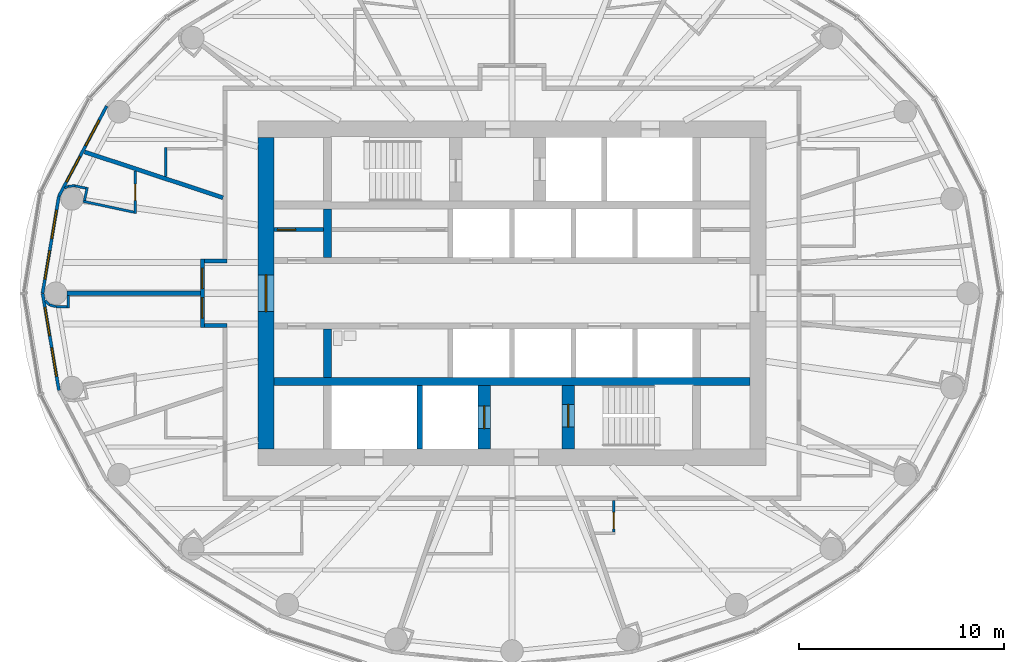
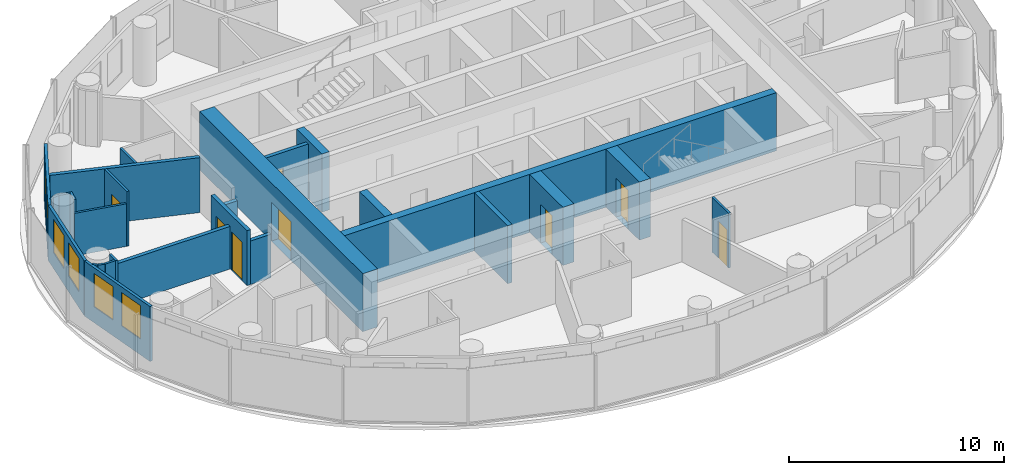
# One storey, part 8 of 16: 28 walls, 8 doors, 6 windows, 14 openings.
"""IFC4 building model written with IfcOpenShell, lengths in metres."""

from ifc_helpers import new_model, si_unit, direction, frame, frame_2d, origin, place, context, subcontext, project, spatial, rectangle, extrude, material, layer, layer_set, type_object, element, fill, save


model = new_model("IFC4")

# Units and contexts
model_context = context("Model", 3, precision=1e-05, world=origin(), true_north=direction((0.0, 1.0)))
body_context = subcontext(model_context, "Body", "Model", "MODEL_VIEW")
ifc_project = project(units=[si_unit("LENGTHUNIT", "METRE"), si_unit("AREAUNIT", "SQUARE_METRE"), si_unit("VOLUMEUNIT", "CUBIC_METRE"), si_unit("PLANEANGLEUNIT", "RADIAN"), si_unit("MASSUNIT", "GRAM", prefix="KILO")], contexts=[model_context])

# Site, building, storey
site_placement = place(None, origin())
site = spatial("IfcSite", under=ifc_project, at=site_placement, CompositionType="ELEMENT")
building_placement = place(site_placement, origin())
building = spatial("IfcBuilding", under=site, at=building_placement, Name="Hankou Lantern Tower", CompositionType="ELEMENT")
storey_placement = place(building_placement, frame((0.0, 0.0, 169.800048828125)))
storey = spatial("IfcBuildingStorey", under=building, at=storey_placement, Name="L45", CompositionType="ELEMENT", Elevation=169.800048828125)

# Wall, opening, door
ifc_material_1 = material(Name="Concrete C60", Category="concrete")
ifc_layer_1 = layer(ifc_material_1, 0.800048828125)
ifc_layer_set_1 = layer_set([ifc_layer_1], Name="Concrete C60")
wall_type_1 = type_object("IfcWallType", Name="CW2 CORE WALL 800", PredefinedType="SHEAR", material=ifc_layer_set_1)
wall_1_placement = place(storey_placement, frame((-12.0, 7.60009765625, 0.0), z_axis=(0.0, 0.0, 1.0), x_axis=(0.0, -1.0, 0.0)))
wall_1 = element("IfcWall", 1, at=wall_1_placement, inside=storey, type_object=wall_type_1, Name="Core wall west L45", PredefinedType="SHEAR", context=body_context, shape_type="SweptSolid", body=[
    extrude(rectangle(XDim=15.2001953125, YDim=0.800048828125, at=frame_2d((7.60009765625, 0.0))), origin(), (0.0, 0.0, 1.0), 3.300048828125),
])
opening_1_placement = place(wall_1_placement, frame((6.699951171875, 0.0, 0.0)))
opening_1 = element("IfcOpeningElement", 2, at=opening_1_placement, cuts=wall_1, Name="Opening D6", PredefinedType="OPENING", context=body_context, shape_type="SweptSolid", body=[
    extrude(rectangle(XDim=1.800048828125, YDim=2.199951171875, at=frame_2d((0.89990234375, 1.10009765625))), frame((0.0, 0.409912109375, 0.0), z_axis=(0.0, -1.0, 0.0), x_axis=(1.0, 0.0, 0.0)), (0.0, 0.0, 1.0), 0.820068359375),
])
ifc_material_2 = material(Name="Steel door leaf", Category="steel")
door_type_1 = type_object("IfcDoorType", Name="D6 LIFT LOBBY DOOR 1800X2200", OperationType="DOUBLE_DOOR_DOUBLE_SWING", PredefinedType="DOOR", material=ifc_material_2)
door_1_placement = place(opening_1_placement, origin())
door_1 = element("IfcDoor", 3, at=door_1_placement, inside=storey, type_object=door_type_1, Name="Lift lobby west door", OperationType="DOUBLE_DOOR_DOUBLE_SWING", OverallHeight=2.199951171875, OverallWidth=1.800048828125, PredefinedType="DOOR", context=body_context, shape_type="SweptSolid", body=[
    extrude(rectangle(XDim=1.800048828125, YDim=2.199951171875, at=frame_2d((0.89990234375, 1.10009765625))), frame((0.0, 0.02490234375, 0.0), z_axis=(0.0, -1.0, 0.0), x_axis=(1.0, 0.0, 0.0)), (0.0, 0.0, 1.0), 0.050048828125),
])
fill(opening_1, door_1)

# Walls
ifc_material_3 = material(Name="Concrete C60", Category="concrete")
ifc_layer_2 = layer(ifc_material_3, 0.39990234375)
ifc_layer_set_2 = layer_set([ifc_layer_2], Name="Concrete C60")
wall_type_2 = type_object("IfcWallType", Name="CW4 CORE CROSS WALL 400", PredefinedType="SHEAR", material=ifc_layer_set_2)
wall_2_placement = place(storey_placement, frame((-11.60009765625, -4.300048828125, 0.0), z_axis=(0.0, 0.0, 1.0), x_axis=(1.0, 0.0, 0.0)))
element("IfcWall", 4, at=wall_2_placement, inside=storey, type_object=wall_type_2, Name="Core band wall south L45", PredefinedType="SHEAR", context=body_context, shape_type="SweptSolid", body=[
    extrude(rectangle(XDim=23.2001953125, YDim=0.39990234375, at=frame_2d((11.60009765625, 0.0))), origin(), (0.0, 0.0, 1.0), 3.300048828125),
])
for number, where, z_axis, x_axis, name in (
    (5, (-9.0, 1.75, 0.0), (0.0, 0.0, 1.0), (0.0, 1.0, 0.0), "Core strip wall L45"),
    (6, (-9.0, -4.10009765625, 0.0), (0.0, 0.0, 1.0), (0.0, 1.0, 0.0), "Core strip wall L45"),
):
    element("IfcWall", number, at=place(storey_placement, frame(where, z_axis=z_axis, x_axis=x_axis)), inside=storey, type_object=wall_type_2, Name=name, PredefinedType="SHEAR", context=body_context, shape_type="SweptSolid", body=[
        extrude(rectangle(XDim=2.35009765625, YDim=0.39990234375, at=frame_2d((1.175048828125, 0.0))), origin(), (0.0, 0.0, 1.0), 3.300048828125),
    ])

# Wall, opening, door
ifc_material_4 = material(Name="Concrete C60", Category="concrete")
ifc_layer_3 = layer(ifc_material_4, 0.60009765625)
ifc_layer_set_3 = layer_set([ifc_layer_3], Name="Concrete C60")
wall_type_3 = type_object("IfcWallType", Name="CW6 STAIR AND SHAFT WALL 600", PredefinedType="SHEAR", material=ifc_layer_set_3)
wall_3_placement = place(storey_placement, frame((2.75, -7.60009765625, 0.0), z_axis=(0.0, 0.0, 1.0), x_axis=(0.0, 1.0, 0.0)))
wall_3 = element("IfcWall", 7, at=wall_3_placement, inside=storey, type_object=wall_type_3, Name="Stair wall L45", PredefinedType="SHEAR", context=body_context, shape_type="SweptSolid", body=[
    extrude(rectangle(XDim=3.10009765625, YDim=0.60009765625, at=frame_2d((1.550048828125, 0.0))), origin(), (0.0, 0.0, 1.0), 3.300048828125),
])
opening_2_placement = place(wall_3_placement, frame((1.074951171875, 0.0, 0.0)))
opening_2 = element("IfcOpeningElement", 8, at=opening_2_placement, cuts=wall_3, Name="Opening D4", PredefinedType="OPENING", context=body_context, shape_type="SweptSolid", body=[
    extrude(rectangle(XDim=1.10009765625, YDim=2.199951171875, at=frame_2d((0.550048828125, 1.10009765625))), frame((0.0, 0.31005859375, 0.0), z_axis=(0.0, -1.0, 0.0), x_axis=(1.0, 0.0, 0.0)), (0.0, 0.0, 1.0), 0.6201171875),
])
ifc_material_5 = material(Name="Steel door leaf", Category="steel")
door_type_2 = type_object("IfcDoorType", Name="D4 STAIR DOOR 1100X2200", OperationType="SINGLE_SWING_LEFT", PredefinedType="DOOR", material=ifc_material_5)
door_2_placement = place(opening_2_placement, origin())
door_2 = element("IfcDoor", 9, at=door_2_placement, inside=storey, type_object=door_type_2, Name="Stair B door", OperationType="SINGLE_SWING_RIGHT", OverallHeight=2.199951171875, OverallWidth=1.10009765625, PredefinedType="DOOR", context=body_context, shape_type="SweptSolid", body=[
    extrude(rectangle(XDim=1.10009765625, YDim=2.199951171875, at=frame_2d((0.550048828125, 1.10009765625))), frame((0.0, 0.02490234375, 0.0), z_axis=(0.0, -1.0, 0.0), x_axis=(1.0, 0.0, 0.0)), (0.0, 0.0, 1.0), 0.050048828125),
])
fill(opening_2, door_2)

wall_4_placement = place(storey_placement, frame((-1.35009765625, -7.60009765625, 0.0), z_axis=(0.0, 0.0, 1.0), x_axis=(0.0, 1.0, 0.0)))
wall_4 = element("IfcWall", 10, at=wall_4_placement, inside=storey, type_object=wall_type_3, Name="Firefighting lift shaft wall L45", PredefinedType="SHEAR", context=body_context, shape_type="SweptSolid", body=[
    extrude(rectangle(XDim=3.10009765625, YDim=0.60009765625, at=frame_2d((1.550048828125, 0.0))), origin(), (0.0, 0.0, 1.0), 3.300048828125),
])
opening_3_placement = place(wall_4_placement, frame((1.0, 0.0, 0.0)))
opening_3 = element("IfcOpeningElement", 11, at=opening_3_placement, cuts=wall_4, Name="Opening LD2", PredefinedType="OPENING", context=body_context, shape_type="SweptSolid", body=[
    extrude(rectangle(XDim=1.10009765625, YDim=2.199951171875, at=frame_2d((0.550048828125, 1.10009765625))), frame((0.0, 0.31005859375, 0.0), z_axis=(0.0, -1.0, 0.0), x_axis=(1.0, 0.0, 0.0)), (0.0, 0.0, 1.0), 0.6201171875),
])
ifc_material_6 = material(Name="Steel door leaf", Category="steel")
door_type_3 = type_object("IfcDoorType", Name="LD2 FIREFIGHTING LIFT LANDING DOOR 1100X2200", OperationType="DOUBLE_DOOR_SLIDING", PredefinedType="DOOR", material=ifc_material_6)
door_3_placement = place(opening_3_placement, origin())
door_3 = element("IfcDoor", 12, at=door_3_placement, inside=storey, type_object=door_type_3, Name="Firefighting lift FL2 landing door", OperationType="DOUBLE_DOOR_SLIDING", OverallHeight=2.199951171875, OverallWidth=1.10009765625, PredefinedType="DOOR", context=body_context, shape_type="SweptSolid", body=[
    extrude(rectangle(XDim=1.10009765625, YDim=2.199951171875, at=frame_2d((0.550048828125, 1.10009765625))), frame((0.0, 0.02490234375, 0.0), z_axis=(0.0, -1.0, 0.0), x_axis=(1.0, 0.0, 0.0)), (0.0, 0.0, 1.0), 0.050048828125),
])
fill(opening_3, door_3)

# Wall, openings, windows
ifc_material_7 = material(Name="Aluminium spandrel panel on steel studs", Category="steel")
ifc_layer_4 = layer(ifc_material_7, 0.14990234375)
ifc_layer_set_4 = layer_set([ifc_layer_4], Name="Aluminium spandrel panel on steel studs")
wall_type_4 = type_object("IfcWallType", Name="EW1 INNER SKIN WALL 150", PredefinedType="ELEMENTEDWALL", material=ifc_layer_set_4)
wall_5_placement = place(storey_placement, frame((-19.771728515625, 9.132080078125, 0.0), z_axis=(0.0, 0.0, 1.0), x_axis=(-0.468428906714, -0.883501193748, 0.0)))
wall_5 = element("IfcWall", 13, at=wall_5_placement, inside=storey, type_object=wall_type_4, Name="Inner skin R11-R12 L45", PredefinedType="ELEMENTEDWALL", context=body_context, shape_type="SweptSolid", body=[
    extrude(rectangle(XDim=4.9736328125, YDim=0.14990234375, at=frame_2d((2.48681640625, 0.0))), origin(), (0.0, 0.0, 1.0), 3.119873046875),
])
opening_4_placement = place(wall_5_placement, frame((0.786865234375, 0.0, 0.89990234375)))
opening_4 = element("IfcOpeningElement", 14, at=opening_4_placement, cuts=wall_5, Name="Opening W3", PredefinedType="OPENING", context=body_context, shape_type="SweptSolid", body=[
    extrude(rectangle(XDim=1.39990234375, YDim=1.89990234375, at=frame_2d((0.699951171875, 0.949951171875))), frame((0.0, 0.0849609375, 0.0), z_axis=(0.0, -1.0, 0.0), x_axis=(1.0, 0.0, 0.0)), (0.0, 0.0, 1.0), 0.169921875),
])
opening_5_placement = place(wall_5_placement, frame((2.786865234375, 0.0, 0.89990234375)))
opening_5 = element("IfcOpeningElement", 15, at=opening_5_placement, cuts=wall_5, Name="Opening W3", PredefinedType="OPENING", context=body_context, shape_type="SweptSolid", body=[
    extrude(rectangle(XDim=1.39990234375, YDim=1.89990234375, at=frame_2d((0.699951171875, 0.949951171875))), frame((0.0, 0.0849609375, 0.0), z_axis=(0.0, -1.0, 0.0), x_axis=(1.0, 0.0, 0.0)), (0.0, 0.0, 1.0), 0.169921875),
])
ifc_material_8 = material(Name="Aluminium framed double glazed window", Category="aluminium")
window_type = type_object("IfcWindowType", Name="W3 GUEST ROOM WINDOW 1400X1900", PartitioningType="DOUBLE_PANEL_VERTICAL", PredefinedType="WINDOW", material=ifc_material_8)
window_1_placement = place(opening_4_placement, origin())
window_1 = element("IfcWindow", 16, at=window_1_placement, inside=storey, type_object=window_type, Name="Window R11.1 L45", OverallHeight=1.89990234375, OverallWidth=1.39990234375, PartitioningType="SINGLE_PANEL", PredefinedType="WINDOW", context=body_context, shape_type="SweptSolid", body=[
    extrude(rectangle(XDim=1.39990234375, YDim=1.89990234375, at=frame_2d((0.699951171875, 0.949951171875))), frame((0.0, 0.030029296875, 0.0), z_axis=(0.0, -1.0, 0.0), x_axis=(1.0, 0.0, 0.0)), (0.0, 0.0, 1.0), 0.06005859375),
])
fill(opening_4, window_1)
window_2_placement = place(opening_5_placement, origin())
window_2 = element("IfcWindow", 17, at=window_2_placement, inside=storey, type_object=window_type, Name="Window R11.2 L45", OverallHeight=1.89990234375, OverallWidth=1.39990234375, PartitioningType="SINGLE_PANEL", PredefinedType="WINDOW", context=body_context, shape_type="SweptSolid", body=[
    extrude(rectangle(XDim=1.39990234375, YDim=1.89990234375, at=frame_2d((0.699951171875, 0.949951171875))), frame((0.0, 0.030029296875, 0.0), z_axis=(0.0, -1.0, 0.0), x_axis=(1.0, 0.0, 0.0)), (0.0, 0.0, 1.0), 0.06005859375),
])
fill(opening_5, window_2)

wall_6_placement = place(storey_placement, frame((-22.1015625, 4.73779296875, 0.0), z_axis=(0.0, 0.0, 1.0), x_axis=(-0.166162111254, -0.986098449843, 0.0)))
wall_6 = element("IfcWall", 18, at=wall_6_placement, inside=storey, type_object=wall_type_4, Name="Inner skin R12-R13 L45", PredefinedType="ELEMENTEDWALL", context=body_context, shape_type="SweptSolid", body=[
    extrude(rectangle(XDim=4.8046875, YDim=0.14990234375, at=frame_2d((2.40234375, 0.0))), origin(), (0.0, 0.0, 1.0), 3.119873046875),
])
opening_6_placement = place(wall_6_placement, frame((0.7021484375, 0.0, 0.89990234375)))
opening_6 = element("IfcOpeningElement", 19, at=opening_6_placement, cuts=wall_6, Name="Opening W3", PredefinedType="OPENING", context=body_context, shape_type="SweptSolid", body=[
    extrude(rectangle(XDim=1.39990234375, YDim=1.89990234375, at=frame_2d((0.699951171875, 0.949951171875))), frame((0.0, 0.0849609375, 0.0), z_axis=(0.0, -1.0, 0.0), x_axis=(1.0, 0.0, 0.0)), (0.0, 0.0, 1.0), 0.169921875),
])
opening_7_placement = place(wall_6_placement, frame((2.7021484375, 0.0, 0.89990234375)))
opening_7 = element("IfcOpeningElement", 20, at=opening_7_placement, cuts=wall_6, Name="Opening W3", PredefinedType="OPENING", context=body_context, shape_type="SweptSolid", body=[
    extrude(rectangle(XDim=1.39990234375, YDim=1.89990234375, at=frame_2d((0.699951171875, 0.949951171875))), frame((0.0, 0.0849609375, 0.0), z_axis=(0.0, -1.0, 0.0), x_axis=(1.0, 0.0, 0.0)), (0.0, 0.0, 1.0), 0.169921875),
])
window_3_placement = place(opening_6_placement, origin())
window_3 = element("IfcWindow", 21, at=window_3_placement, inside=storey, type_object=window_type, Name="Window R12.1 L45", OverallHeight=1.89990234375, OverallWidth=1.39990234375, PartitioningType="SINGLE_PANEL", PredefinedType="WINDOW", context=body_context, shape_type="SweptSolid", body=[
    extrude(rectangle(XDim=1.39990234375, YDim=1.89990234375, at=frame_2d((0.699951171875, 0.949951171875))), frame((0.0, 0.030029296875, 0.0), z_axis=(0.0, -1.0, 0.0), x_axis=(1.0, 0.0, 0.0)), (0.0, 0.0, 1.0), 0.06005859375),
])
fill(opening_6, window_3)
window_4_placement = place(opening_7_placement, origin())
window_4 = element("IfcWindow", 22, at=window_4_placement, inside=storey, type_object=window_type, Name="Window R12.2 L45", OverallHeight=1.89990234375, OverallWidth=1.39990234375, PartitioningType="SINGLE_PANEL", PredefinedType="WINDOW", context=body_context, shape_type="SweptSolid", body=[
    extrude(rectangle(XDim=1.39990234375, YDim=1.89990234375, at=frame_2d((0.699951171875, 0.949951171875))), frame((0.0, 0.030029296875, 0.0), z_axis=(0.0, -1.0, 0.0), x_axis=(1.0, 0.0, 0.0)), (0.0, 0.0, 1.0), 0.06005859375),
])
fill(opening_7, window_4)

wall_7_placement = place(storey_placement, frame((-22.89990234375, 0.0, 0.0), z_axis=(0.0, 0.0, 1.0), x_axis=(0.166162111254, -0.986098449843, 0.0)))
wall_7 = element("IfcWall", 23, at=wall_7_placement, inside=storey, type_object=wall_type_4, Name="Inner skin R13-R14 L45", PredefinedType="ELEMENTEDWALL", context=body_context, shape_type="SweptSolid", body=[
    extrude(rectangle(XDim=4.8046875, YDim=0.14990234375, at=frame_2d((2.40234375, 0.0))), origin(), (0.0, 0.0, 1.0), 3.119873046875),
])
opening_8_placement = place(wall_7_placement, frame((0.7021484375, 0.0, 0.89990234375)))
opening_8 = element("IfcOpeningElement", 24, at=opening_8_placement, cuts=wall_7, Name="Opening W3", PredefinedType="OPENING", context=body_context, shape_type="SweptSolid", body=[
    extrude(rectangle(XDim=1.39990234375, YDim=1.89990234375, at=frame_2d((0.699951171875, 0.949951171875))), frame((0.0, 0.0849609375, 0.0), z_axis=(0.0, -1.0, 0.0), x_axis=(1.0, 0.0, 0.0)), (0.0, 0.0, 1.0), 0.169921875),
])
opening_9_placement = place(wall_7_placement, frame((2.7021484375, 0.0, 0.89990234375)))
opening_9 = element("IfcOpeningElement", 25, at=opening_9_placement, cuts=wall_7, Name="Opening W3", PredefinedType="OPENING", context=body_context, shape_type="SweptSolid", body=[
    extrude(rectangle(XDim=1.39990234375, YDim=1.89990234375, at=frame_2d((0.699951171875, 0.949951171875))), frame((0.0, 0.0849609375, 0.0), z_axis=(0.0, -1.0, 0.0), x_axis=(1.0, 0.0, 0.0)), (0.0, 0.0, 1.0), 0.169921875),
])
window_5_placement = place(opening_8_placement, origin())
window_5 = element("IfcWindow", 26, at=window_5_placement, inside=storey, type_object=window_type, Name="Window R13.1 L45", OverallHeight=1.89990234375, OverallWidth=1.39990234375, PartitioningType="SINGLE_PANEL", PredefinedType="WINDOW", context=body_context, shape_type="SweptSolid", body=[
    extrude(rectangle(XDim=1.39990234375, YDim=1.89990234375, at=frame_2d((0.699951171875, 0.949951171875))), frame((0.0, 0.030029296875, 0.0), z_axis=(0.0, -1.0, 0.0), x_axis=(1.0, 0.0, 0.0)), (0.0, 0.0, 1.0), 0.06005859375),
])
fill(opening_8, window_5)
window_6_placement = place(opening_9_placement, origin())
window_6 = element("IfcWindow", 27, at=window_6_placement, inside=storey, type_object=window_type, Name="Window R13.2 L45", OverallHeight=1.89990234375, OverallWidth=1.39990234375, PartitioningType="SINGLE_PANEL", PredefinedType="WINDOW", context=body_context, shape_type="SweptSolid", body=[
    extrude(rectangle(XDim=1.39990234375, YDim=1.89990234375, at=frame_2d((0.699951171875, 0.949951171875))), frame((0.0, 0.030029296875, 0.0), z_axis=(0.0, -1.0, 0.0), x_axis=(1.0, 0.0, 0.0)), (0.0, 0.0, 1.0), 0.06005859375),
])
fill(opening_9, window_6)

# Walls
ifc_material_9 = material(Name="Masonry lightweight concrete block", Category="masonry")
ifc_layer_5 = layer(ifc_material_9, 0.199951171875)
ifc_layer_set_5 = layer_set([ifc_layer_5], Name="Masonry lightweight concrete block")
wall_type_5 = type_object("IfcWallType", Name="IW1 GUEST ROOM PARTY WALL 200", PredefinedType="PARTITIONING", material=ifc_layer_set_5)
wall_8_placement = place(storey_placement, frame((-14.10009765625, 4.661376953125, 0.0), z_axis=(0.0, 0.0, 1.0), x_axis=(-0.949453216399, 0.313908569285, 0.0)))
element("IfcWall", 28, at=wall_8_placement, inside=storey, type_object=wall_type_5, Name="Party wall R11-R12", PredefinedType="PARTITIONING", context=body_context, shape_type="SweptSolid", body=[
    extrude(rectangle(XDim=7.108642578125, YDim=0.199951171875, at=frame_2d((3.55419921875, 0.0))), origin(), (0.0, 0.0, 1.0), 3.119873046875),
])
wall_9_placement = place(storey_placement, frame((-15.199951171875, 0.0, 0.0), z_axis=(0.0, 0.0, 1.0), x_axis=(-1.0, 0.0, 0.0)))
element("IfcWall", 29, at=wall_9_placement, inside=storey, type_object=wall_type_5, Name="Party wall R13", PredefinedType="PARTITIONING", context=body_context, shape_type="SweptSolid", body=[
    extrude(rectangle(XDim=6.5, YDim=0.199951171875, at=frame_2d((3.25, 0.0))), origin(), (0.0, 0.0, 1.0), 2.419921875),
])

# Wall, openings, doors
ifc_material_10 = material(Name="Masonry lightweight concrete block", Category="masonry")
ifc_layer_6 = layer(ifc_material_10, 0.199951171875)
ifc_layer_set_6 = layer_set([ifc_layer_6], Name="Masonry lightweight concrete block")
wall_type_6 = type_object("IfcWallType", Name="IW2 CORRIDOR WALL 200", PredefinedType="PARTITIONING", material=ifc_layer_set_6)
wall_10_placement = place(storey_placement, frame((-15.10009765625, 1.669921875, 0.0), z_axis=(0.0, 0.0, 1.0), x_axis=(0.0, -1.0, 0.0)))
wall_10 = element("IfcWall", 30, at=wall_10_placement, inside=storey, type_object=wall_type_6, Name="Corridor alcove wall 4512-4513 back", PredefinedType="PARTITIONING", context=body_context, shape_type="SweptSolid", body=[
    extrude(rectangle(XDim=3.33984375, YDim=0.199951171875, at=frame_2d((1.669921875, 0.0))), origin(), (0.0, 0.0, 1.0), 3.119873046875),
])
opening_10_placement = place(wall_10_placement, frame((0.449951171875, 0.0, 0.0)))
opening_10 = element("IfcOpeningElement", 31, at=opening_10_placement, cuts=wall_10, Name="Opening D1", PredefinedType="OPENING", context=body_context, shape_type="SweptSolid", body=[
    extrude(rectangle(XDim=1.0, YDim=2.199951171875, at=frame_2d((0.5, 1.10009765625))), frame((0.0, 0.10986328125, 0.0), z_axis=(0.0, -1.0, 0.0), x_axis=(1.0, 0.0, 0.0)), (0.0, 0.0, 1.0), 0.219970703125),
])
opening_11_placement = place(wall_10_placement, frame((1.889892578125, 0.0, 0.0)))
opening_11 = element("IfcOpeningElement", 32, at=opening_11_placement, cuts=wall_10, Name="Opening D1", PredefinedType="OPENING", context=body_context, shape_type="SweptSolid", body=[
    extrude(rectangle(XDim=1.0, YDim=2.199951171875, at=frame_2d((0.5, 1.10009765625))), frame((0.0, 0.10986328125, 0.0), z_axis=(0.0, -1.0, 0.0), x_axis=(1.0, 0.0, 0.0)), (0.0, 0.0, 1.0), 0.219970703125),
])
ifc_material_11 = material(Name="Steel door leaf", Category="steel")
door_type_4 = type_object("IfcDoorType", Name="D1 GUEST ROOM DOOR 1000X2200", OperationType="SINGLE_SWING_LEFT", PredefinedType="DOOR", material=ifc_material_11)
door_4_placement = place(opening_10_placement, origin())
door_4 = element("IfcDoor", 33, at=door_4_placement, inside=storey, type_object=door_type_4, Name="Guest room door 4512", OperationType="SINGLE_SWING_LEFT", OverallHeight=2.199951171875, OverallWidth=1.0, PredefinedType="DOOR", context=body_context, shape_type="SweptSolid", body=[
    extrude(rectangle(XDim=1.0, YDim=2.199951171875, at=frame_2d((0.5, 1.10009765625))), frame((0.0, 0.02490234375, 0.0), z_axis=(0.0, -1.0, 0.0), x_axis=(1.0, 0.0, 0.0)), (0.0, 0.0, 1.0), 0.050048828125),
])
fill(opening_10, door_4)
door_5_placement = place(opening_11_placement, origin())
door_5 = element("IfcDoor", 34, at=door_5_placement, inside=storey, type_object=door_type_4, Name="Guest room door 4513", OperationType="SINGLE_SWING_RIGHT", OverallHeight=2.199951171875, OverallWidth=1.0, PredefinedType="DOOR", context=body_context, shape_type="SweptSolid", body=[
    extrude(rectangle(XDim=1.0, YDim=2.199951171875, at=frame_2d((0.5, 1.10009765625))), frame((0.0, 0.02490234375, 0.0), z_axis=(0.0, -1.0, 0.0), x_axis=(1.0, 0.0, 0.0)), (0.0, 0.0, 1.0), 0.050048828125),
])
fill(opening_11, door_5)

# Walls
for number, where, z_axis, x_axis, name in (
    (35, (-13.89990234375, 1.570068359375, 0.0), (0.0, 0.0, 1.0), (-1.0, 0.0, 0.0), "Corridor alcove wall 4512-4513 left"),
    (36, (-13.89990234375, -1.570068359375, 0.0), (0.0, 0.0, 1.0), (-1.0, 0.0, 0.0), "Corridor alcove wall 4512-4513 right"),
):
    element("IfcWall", number, at=place(storey_placement, frame(where, z_axis=z_axis, x_axis=x_axis)), inside=storey, type_object=wall_type_6, Name=name, PredefinedType="PARTITIONING", context=body_context, shape_type="SweptSolid", body=[
        extrude(rectangle(XDim=1.10009765625, YDim=0.199951171875, at=frame_2d((0.550048828125, 0.0))), origin(), (0.0, 0.0, 1.0), 2.469970703125),
    ])

# Wall, opening, door
ifc_material_12 = material(Name="Masonry lightweight concrete block", Category="masonry")
ifc_layer_7 = layer(ifc_material_12, 0.1201171875)
ifc_layer_set_7 = layer_set([ifc_layer_7], Name="Masonry lightweight concrete block")
wall_type_7 = type_object("IfcWallType", Name="IW3 BATHROOM WALL 120", PredefinedType="PARTITIONING", material=ifc_layer_set_7)
wall_11_placement = place(storey_placement, frame((4.962890625, -10.10009765625, 0.0), z_axis=(0.0, 0.0, 1.0), x_axis=(0.0, -1.0, 0.0)))
wall_11 = element("IfcWall", 37, at=wall_11_placement, inside=storey, type_object=wall_type_7, Name="Box wall 4503C 1", PredefinedType="PARTITIONING", context=body_context, shape_type="SweptSolid", body=[
    extrude(rectangle(XDim=1.539794921875, YDim=0.1201171875, at=frame_2d((0.77001953125, 0.0))), origin(), (0.0, 0.0, 1.0), 3.119873046875),
])
opening_12_placement = place(wall_11_placement, frame((0.590087890625, 0.0, 0.0)))
opening_12 = element("IfcOpeningElement", 38, at=opening_12_placement, cuts=wall_11, Name="Opening D3", PredefinedType="OPENING", context=body_context, shape_type="SweptSolid", body=[
    extrude(rectangle(XDim=0.800048828125, YDim=2.10009765625, at=frame_2d((0.39990234375, 1.050048828125))), frame((0.0, 0.070068359375, 0.0), z_axis=(0.0, -1.0, 0.0), x_axis=(1.0, 0.0, 0.0)), (0.0, 0.0, 1.0), 0.14013671875),
])
ifc_material_13 = material(Name="Timber door leaf", Category="wood")
door_type_5 = type_object("IfcDoorType", Name="D3 BATHROOM DOOR 800X2100", OperationType="SINGLE_SWING_LEFT", PredefinedType="DOOR", material=ifc_material_13)
door_6_placement = place(opening_12_placement, origin())
door_6 = element("IfcDoor", 39, at=door_6_placement, inside=storey, type_object=door_type_5, Name="Corner suite 4503 guest WC door", OperationType="SINGLE_SWING_LEFT", OverallHeight=2.10009765625, OverallWidth=0.800048828125, PredefinedType="DOOR", context=body_context, shape_type="SweptSolid", body=[
    extrude(rectangle(XDim=0.800048828125, YDim=2.10009765625, at=frame_2d((0.39990234375, 1.050048828125))), frame((0.0, 0.02490234375, 0.0), z_axis=(0.0, -1.0, 0.0), x_axis=(1.0, 0.0, 0.0)), (0.0, 0.0, 1.0), 0.050048828125),
])
fill(opening_12, door_6)

# Wall
wall_12_placement = place(storey_placement, frame((-16.89990234375, 5.687255859375, 0.0), z_axis=(0.0, 0.0, 1.0), x_axis=(0.0, 1.0, 0.0)))
element("IfcWall", 40, at=wall_12_placement, inside=storey, type_object=wall_type_7, Name="Box wall 4511 1", PredefinedType="PARTITIONING", context=body_context, shape_type="SweptSolid", body=[
    extrude(rectangle(XDim=1.414306640625, YDim=0.1201171875, at=frame_2d((0.70703125, 0.0))), origin(), (0.0, 0.0, 1.0), 3.119873046875),
])

# Wall, opening, door
wall_13_placement = place(storey_placement, frame((-18.380859375, 5.971435546875, 0.0), z_axis=(0.0, 0.0, 1.0), x_axis=(-0.000934142516, -0.999999563689, 0.0)))
wall_13 = element("IfcWall", 41, at=wall_13_placement, inside=storey, type_object=wall_type_7, Name="Box wall 4512 1", PredefinedType="PARTITIONING", context=body_context, shape_type="SweptSolid", body=[
    extrude(rectangle(XDim=2.0908203125, YDim=0.1201171875, at=frame_2d((1.04541015625, 0.0))), origin(), (0.0, 0.0, 1.0), 3.119873046875),
])
opening_13_placement = place(wall_13_placement, frame((0.6455078125, 0.0, 0.0)))
opening_13 = element("IfcOpeningElement", 42, at=opening_13_placement, cuts=wall_13, Name="Opening D3", PredefinedType="OPENING", context=body_context, shape_type="SweptSolid", body=[
    extrude(rectangle(XDim=0.800048828125, YDim=2.10009765625, at=frame_2d((0.39990234375, 1.050048828125))), frame((0.0, 0.070068359375, 0.0), z_axis=(0.0, -1.0, 0.0), x_axis=(1.0, 0.0, 0.0)), (0.0, 0.0, 1.0), 0.14013671875),
])
door_7_placement = place(opening_13_placement, origin())
door_7 = element("IfcDoor", 43, at=door_7_placement, inside=storey, type_object=door_type_5, Name="En-suite bathroom 4512 door", OperationType="SINGLE_SWING_LEFT", OverallHeight=2.10009765625, OverallWidth=0.800048828125, PredefinedType="DOOR", context=body_context, shape_type="SweptSolid", body=[
    extrude(rectangle(XDim=0.800048828125, YDim=2.10009765625, at=frame_2d((0.39990234375, 1.050048828125))), frame((0.0, 0.02490234375, 0.0), z_axis=(0.0, -1.0, 0.0), x_axis=(1.0, 0.0, 0.0)), (0.0, 0.0, 1.0), 0.050048828125),
])
fill(opening_13, door_7)

# Walls
wall_14_placement = place(storey_placement, frame((-18.44140625, 3.953125, 0.0), z_axis=(0.0, 0.0, 1.0), x_axis=(-0.977801007461, 0.209535652833, 0.0)))
element("IfcWall", 44, at=wall_14_placement, inside=storey, type_object=wall_type_7, Name="Box wall 4512 2", PredefinedType="PARTITIONING", context=body_context, shape_type="SweptSolid", body=[
    extrude(rectangle(XDim=2.5400390625, YDim=0.1201171875, at=frame_2d((1.27001953125, 0.0))), origin(), (0.0, 0.0, 1.0), 2.419921875),
])
wall_15_placement = place(storey_placement, frame((-20.853759765625, 4.531494140625, 0.0), z_axis=(0.0, 0.0, 1.0), x_axis=(0.209631346779, 0.977780496046, 0.0)))
element("IfcWall", 45, at=wall_15_placement, inside=storey, type_object=wall_type_7, Name="Column casing 4512 return", PredefinedType="PARTITIONING", context=body_context, shape_type="SweptSolid", body=[
    extrude(rectangle(XDim=0.652099609375, YDim=0.1201171875, at=frame_2d((0.326171875, 0.0))), origin(), (0.0, 0.0, 1.0), 3.119873046875),
])
wall_16_placement = place(storey_placement, frame((-20.788330078125, 5.123291015625, 0.0), z_axis=(0.0, 0.0, 1.0), x_axis=(-0.977789415726, 0.209589738521, 0.0)))
element("IfcWall", 46, at=wall_16_placement, inside=storey, type_object=wall_type_7, Name="Column casing 4512", PredefinedType="PARTITIONING", context=body_context, shape_type="SweptSolid", body=[
    extrude(rectangle(XDim=0.5498046875, YDim=0.1201171875, at=frame_2d((0.27490234375, 0.0))), origin(), (0.0, 0.0, 1.0), 3.119873046875),
])
wall_17_placement = place(storey_placement, frame((-21.325927734375, 5.238525390625, 0.0), z_axis=(0.0, 0.0, 1.0), x_axis=(-0.998719689441, -0.050586380797, 0.0)))
element("IfcWall", 47, at=wall_17_placement, inside=storey, type_object=wall_type_7, Name="Column casing 4512", PredefinedType="PARTITIONING", context=body_context, shape_type="SweptSolid", body=[
    extrude(rectangle(XDim=0.337890625, YDim=0.1201171875, at=frame_2d((0.1689453125, 0.0))), origin(), (0.0, 0.0, 1.0), 3.119873046875),
])
wall_18_placement = place(storey_placement, frame((-21.663330078125, 5.221435546875, 0.0), z_axis=(0.0, 0.0, 1.0), x_axis=(-0.839279022252, -0.543700949795, 0.0)))
element("IfcWall", 48, at=wall_18_placement, inside=storey, type_object=wall_type_7, Name="Column casing 4512", PredefinedType="PARTITIONING", context=body_context, shape_type="SweptSolid", body=[
    extrude(rectangle(XDim=0.18017578125, YDim=0.1201171875, at=frame_2d((0.090087890625, 0.0))), origin(), (0.0, 0.0, 1.0), 3.119873046875),
])
ifc_material_14 = material(Name="Masonry lightweight concrete block", Category="masonry")
ifc_layer_8 = layer(ifc_material_14, 0.1201171875)
ifc_layer_set_8 = layer_set([ifc_layer_8], Name="Masonry lightweight concrete block")
wall_type_8 = type_object("IfcWallType", Name="IW4 PARTITION 120", PredefinedType="PARTITIONING", material=ifc_layer_set_8)
wall_19_placement = place(storey_placement, frame((-21.639892578125, -0.10009765625, 0.0), z_axis=(0.0, 0.0, 1.0), x_axis=(0.0, -1.0, 0.0)))
element("IfcWall", 49, at=wall_19_placement, inside=storey, type_object=wall_type_8, Name="Column casing R13 return", PredefinedType="PARTITIONING", context=body_context, shape_type="SweptSolid", body=[
    extrude(rectangle(XDim=0.612060546875, YDim=0.1201171875, at=frame_2d((0.30615234375, 0.0))), origin(), (0.0, 0.0, 1.0), 3.119873046875),
])
wall_20_placement = place(storey_placement, frame((-21.699951171875, -0.65234375, 0.0), z_axis=(0.0, 0.0, 1.0), x_axis=(-1.0, 0.0, 0.0)))
element("IfcWall", 50, at=wall_20_placement, inside=storey, type_object=wall_type_8, Name="Column casing R13", PredefinedType="PARTITIONING", context=body_context, shape_type="SweptSolid", body=[
    extrude(rectangle(XDim=0.550048828125, YDim=0.1201171875, at=frame_2d((0.27490234375, 0.0))), origin(), (0.0, 0.0, 1.0), 3.119873046875),
])
wall_21_placement = place(storey_placement, frame((-22.25, -0.65234375, 0.0), z_axis=(0.0, 0.0, 1.0), x_axis=(-0.965922233104, 0.258832454679, 0.0)))
element("IfcWall", 51, at=wall_21_placement, inside=storey, type_object=wall_type_8, Name="Column casing R13", PredefinedType="PARTITIONING", context=body_context, shape_type="SweptSolid", body=[
    extrude(rectangle(XDim=0.337646484375, YDim=0.1201171875, at=frame_2d((0.1689453125, 0.0))), origin(), (0.0, 0.0, 1.0), 3.119873046875),
])
wall_22_placement = place(storey_placement, frame((-22.576171875, -0.56494140625, 0.0), z_axis=(0.0, 0.0, 1.0), x_axis=(-0.706639272724, 0.707573980757, 0.0)))
element("IfcWall", 52, at=wall_22_placement, inside=storey, type_object=wall_type_8, Name="Column casing R13", PredefinedType="PARTITIONING", context=body_context, shape_type="SweptSolid", body=[
    extrude(rectangle(XDim=0.26123046875, YDim=0.1201171875, at=frame_2d((0.130615234375, 0.0))), origin(), (0.0, 0.0, 1.0), 3.119873046875),
])

# Wall, opening, door
ifc_material_15 = material(Name="Masonry lightweight concrete block", Category="masonry")
ifc_layer_9 = layer(ifc_material_15, 0.199951171875)
ifc_layer_set_9 = layer_set([ifc_layer_9], Name="Masonry lightweight concrete block")
wall_type_9 = type_object("IfcWallType", Name="IW8 PARTITION 200", PredefinedType="PARTITIONING", material=ifc_layer_set_9)
wall_23_placement = place(storey_placement, frame((-11.60009765625, 3.10009765625, 0.0), z_axis=(0.0, 0.0, 1.0), x_axis=(1.0, 0.0, 0.0)))
wall_23 = element("IfcWall", 53, at=wall_23_placement, inside=storey, type_object=wall_type_9, Name="Partition guest pantry and ice room", PredefinedType="PARTITIONING", context=body_context, shape_type="SweptSolid", body=[
    extrude(rectangle(XDim=2.400146484375, YDim=0.199951171875, at=frame_2d((1.2001953125, 0.0))), origin(), (0.0, 0.0, 1.0), 3.119873046875),
])
opening_14_placement = place(wall_23_placement, frame((0.14990234375, 0.0, 0.0)))
opening_14 = element("IfcOpeningElement", 54, at=opening_14_placement, cuts=wall_23, Name="Opening D12", PredefinedType="OPENING", context=body_context, shape_type="SweptSolid", body=[
    extrude(rectangle(XDim=0.89990234375, YDim=2.199951171875, at=frame_2d((0.449951171875, 1.10009765625))), frame((0.0, 0.10986328125, 0.0), z_axis=(0.0, -1.0, 0.0), x_axis=(1.0, 0.0, 0.0)), (0.0, 0.0, 1.0), 0.219970703125),
])
ifc_material_16 = material(Name="Steel door leaf", Category="steel")
door_type_6 = type_object("IfcDoorType", Name="D12 STORE DOOR 900X2200", OperationType="SINGLE_SWING_LEFT", PredefinedType="DOOR", material=ifc_material_16)
door_8_placement = place(opening_14_placement, origin())
door_8 = element("IfcDoor", 55, at=door_8_placement, inside=storey, type_object=door_type_6, Name="Ice machine cupboard door", OperationType="SINGLE_SWING_LEFT", OverallHeight=2.199951171875, OverallWidth=0.89990234375, PredefinedType="DOOR", context=body_context, shape_type="SweptSolid", body=[
    extrude(rectangle(XDim=0.89990234375, YDim=2.199951171875, at=frame_2d((0.449951171875, 1.10009765625))), frame((0.0, 0.02490234375, 0.0), z_axis=(0.0, -1.0, 0.0), x_axis=(1.0, 0.0, 0.0)), (0.0, 0.0, 1.0), 0.050048828125),
])
fill(opening_14, door_8)

# Wall
ifc_material_17 = material(Name="Masonry autoclaved aerated concrete block", Category="masonry")
ifc_layer_10 = layer(ifc_material_17, 0.25)
ifc_layer_set_10 = layer_set([ifc_layer_10], Name="Masonry autoclaved aerated concrete block")
wall_type_10 = type_object("IfcWallType", Name="SW1 SHAFT BLOCK WALL 250", PredefinedType="PARTITIONING", material=ifc_layer_set_10)
wall_24_placement = place(storey_placement, frame((-4.5, -7.60009765625, 0.0), z_axis=(0.0, 0.0, 1.0), x_axis=(0.0, 1.0, 0.0)))
element("IfcWall", 56, at=wall_24_placement, inside=storey, type_object=wall_type_10, Name="Riser wall L45", PredefinedType="PARTITIONING", context=body_context, shape_type="SweptSolid", body=[
    extrude(rectangle(XDim=3.10009765625, YDim=0.25, at=frame_2d((1.550048828125, 0.0))), origin(), (0.0, 0.0, 1.0), 3.300048828125),
])

save(model, "model.ifc")
